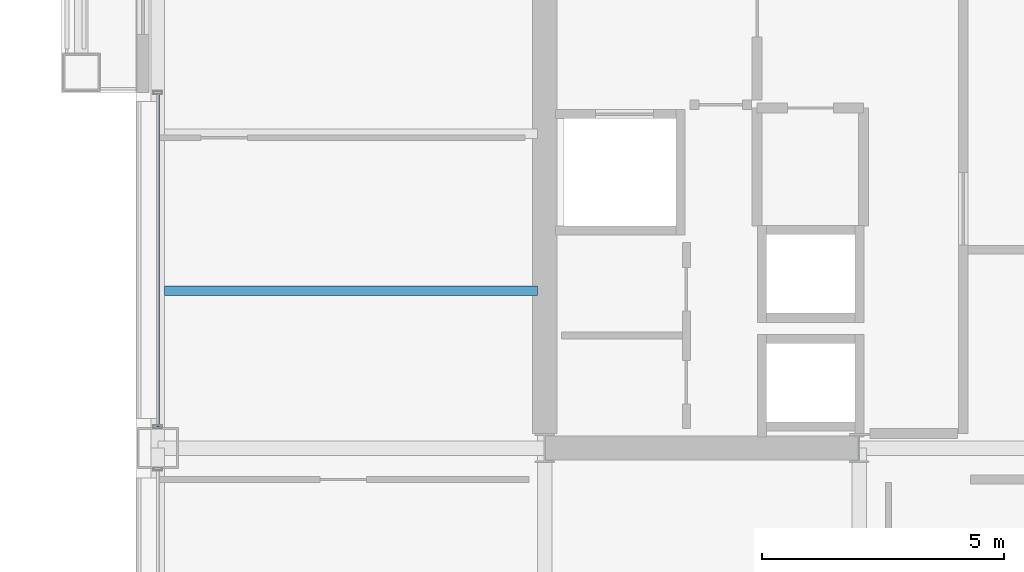
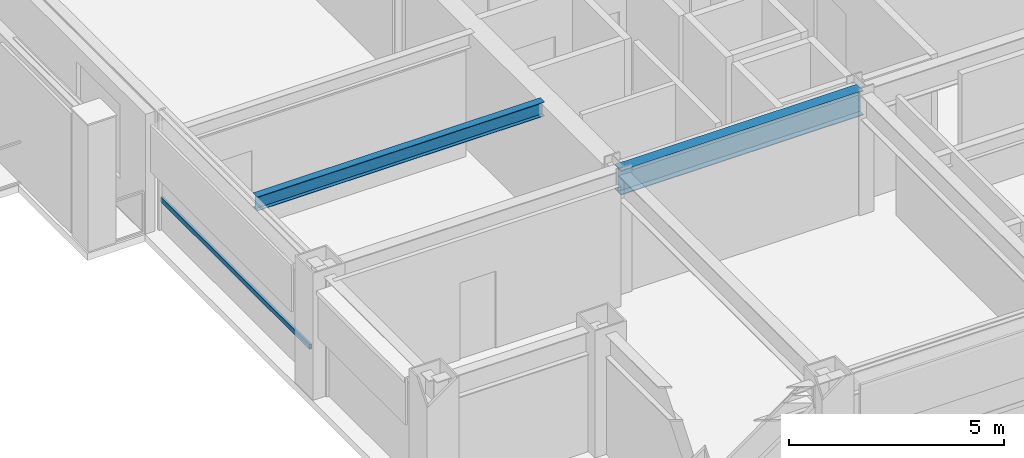
# One storey, part 4 of 29: 2 beams, 1 member, 1 element without a shape of its own.
"""IFC4 building model written with IfcOpenShell, lengths in metres."""

from ifc_helpers import new_model, si_unit, direction, frame, origin, origin_2d, place, context, subcontext, project, spatial, hollow_rectangle, i_section, extrude, material, layer, layer_set, material_profile, profile_set, type_object, element, aggregate, save


model = new_model("IFC4")

# Units and contexts
model_context = context("Model", 3, precision=1e-05, world=origin(), true_north=direction((0.0, 1.0)))
body_context = subcontext(model_context, "Body", "Model", "MODEL_VIEW")
ifc_project = project(units=[si_unit("LENGTHUNIT", "METRE"), si_unit("AREAUNIT", "SQUARE_METRE"), si_unit("VOLUMEUNIT", "CUBIC_METRE"), si_unit("PLANEANGLEUNIT", "RADIAN"), si_unit("MASSUNIT", "GRAM", prefix="KILO")], contexts=[model_context])

# Site, building, storey
site_placement = place(None, origin())
site = spatial("IfcSite", under=ifc_project, at=site_placement, CompositionType="ELEMENT")
building_placement = place(site_placement, origin())
building = spatial("IfcBuilding", under=site, at=building_placement, Name="Brelmoor Portico Tower", CompositionType="ELEMENT")
storey_placement = place(building_placement, frame((0.0, 0.0, 95.39990234375)))
storey = spatial("IfcBuildingStorey", under=building, at=storey_placement, Name="L24", CompositionType="ELEMENT", Elevation=95.39990234375)

# Beams
ifc_material_1 = material(Name="Steel Q355B", Category="steel")
ifc_material_profile_1 = material_profile(ifc_material_1, i_section(OverallWidth=0.199951171875, OverallDepth=0.39990234375, WebThickness=0.008056640625, FlangeThickness=0.012939453125, at=origin_2d()), Name="HN 400x200x8x13")
ifc_profile_set_1 = profile_set([ifc_material_profile_1], Name="Steel Q355B")
beam_type_1 = type_object("IfcBeamType", Name="BM-JS-400", PredefinedType="JOIST", material=ifc_profile_set_1)
beam_1_placement = place(storey_placement, frame((-22.409912109375, -6.5, 3.2001953125), z_axis=(1.0, 0.0, 0.0), x_axis=(0.0, 1.0, 0.0)))
element("IfcBeam", 1, at=beam_1_placement, inside=storey, type_object=beam_type_1, Name="L24 Secondary Wing Joist JS-W05", PredefinedType="JOIST", context=body_context, shape_type="SweptSolid", body=[
    extrude(i_section(OverallWidth=0.199951171875, OverallDepth=0.39990234375, WebThickness=0.008056640625, FlangeThickness=0.012939453125, at=origin_2d()), origin(), (0.0, 0.0, 1.0), 7.7099609375),
])
ifc_material_profile_2 = material_profile(ifc_material_1, i_section(OverallWidth=0.300048828125, OverallDepth=0.699951171875, WebThickness=0.012939453125, FlangeThickness=0.02392578125, at=origin_2d()), Name="HN 700x300x13x24")
ifc_profile_set_2 = profile_set([ifc_material_profile_2], Name="Steel Q355B")
beam_type_2 = type_object("IfcBeamType", Name="BM-PG-700", PredefinedType="BEAM", material=ifc_profile_set_2)
beam_2_placement = place(storey_placement, frame((-14.550048828125, -9.75, 3.050048828125), z_axis=(1.0, 0.0, 0.0), x_axis=(0.0, 1.0, 0.0)))
element("IfcBeam", 2, at=beam_2_placement, inside=storey, type_object=beam_type_2, Name="L24 Primary Floor Girder PG-15", PredefinedType="BEAM", context=body_context, shape_type="SweptSolid", body=[
    extrude(i_section(OverallWidth=0.300048828125, OverallDepth=0.699951171875, WebThickness=0.012939453125, FlangeThickness=0.02392578125, at=origin_2d()), origin(), (0.0, 0.0, 1.0), 6.5),
])

# Curtain wall, member
ifc_material_2 = material(Name="Anodised Aluminium Alloy 6063-T6", Category="aluminium")
ifc_layer = layer(ifc_material_2, 0.179931640625)
ifc_layer_set = layer_set([ifc_layer], Name="Anodised Aluminium Alloy 6063-T6")
curtain_wall_type = type_object("IfcCurtainWallType", Name="CW-TOWER-Z2", PredefinedType="NOTDEFINED", material=ifc_layer_set)
curtain_wall_placement = place(storey_placement, origin())
curtain_wall = element("IfcCurtainWall", 3, at=curtain_wall_placement, inside=storey, type_object=curtain_wall_type, Name="L24 Curtain Wall CW-L24-3L-2", PredefinedType="NOTDEFINED")
ifc_material_profile_3 = material_profile(ifc_material_2, hollow_rectangle(XDim=0.06494140625, YDim=0.139892578125, WallThickness=0.00390625, at=origin_2d()), Name="ALU TRANSOM 65x140")
ifc_profile_set_3 = profile_set([ifc_material_profile_3], Name="Anodised Aluminium Alloy 6063-T6")
member_type = type_object("IfcMemberType", Name="MB-CW-TRAN-140", PredefinedType="USERDEFINED", material=ifc_profile_set_3)
member_placement = place(storey_placement, frame((-22.550048828125, -9.31494140625, 0.85009765625), z_axis=(0.0, 1.0, 0.0), x_axis=(-1.0, 0.0, 0.0)))
member = element("IfcMember", 4, at=member_placement, type_object=member_type, Name="CW-L24-3L-2 Transom 1-00", ObjectType="TRANSOM", PredefinedType="USERDEFINED", context=body_context, shape_type="SweptSolid", body=[
    extrude(hollow_rectangle(XDim=0.06494140625, YDim=0.139892578125, WallThickness=0.00390625, at=origin_2d()), origin(), (0.0, 0.0, 1.0), 6.9150390625),
])
aggregate(curtain_wall, [member])

save(model, "model.ifc")
